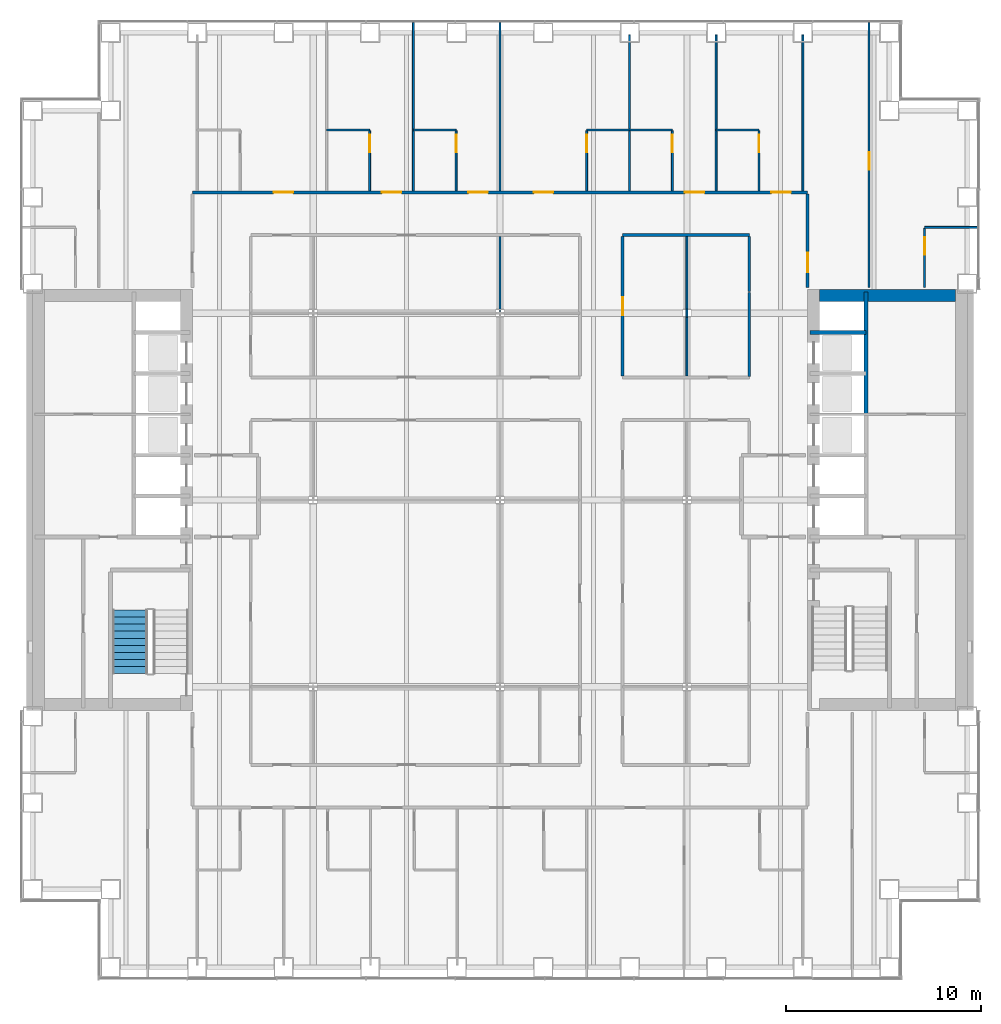
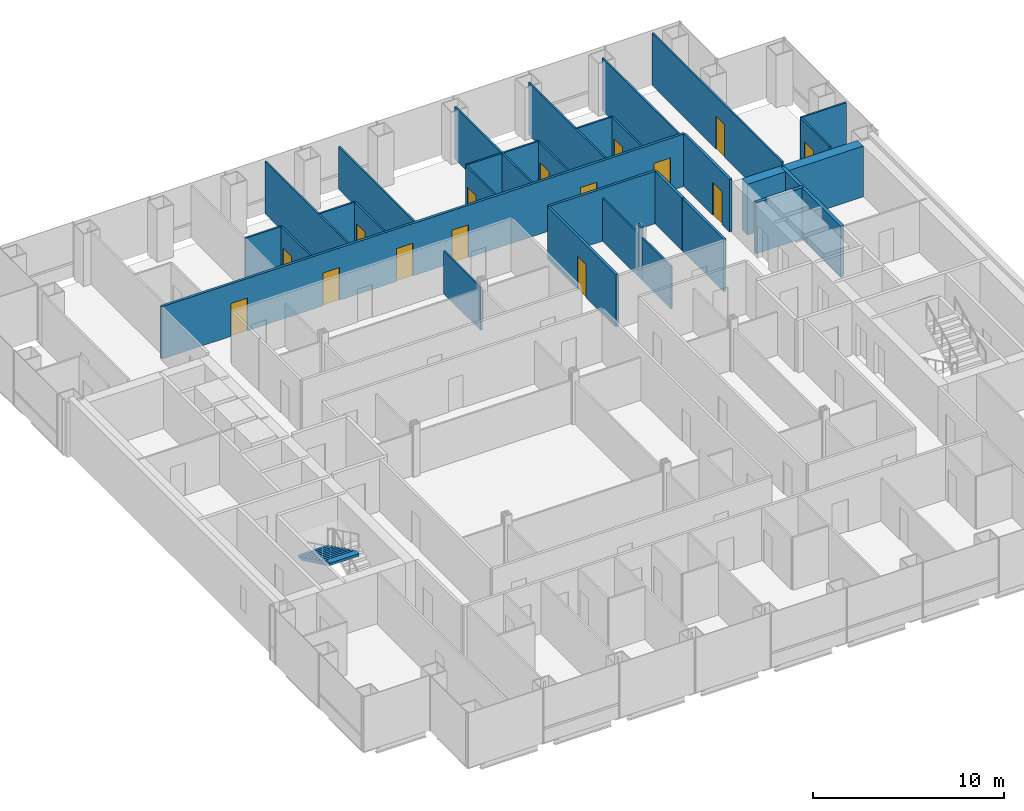
# One storey, part 20 of 23: 31 walls, 15 doors, 1 stair flight, 15 openings, 1 element without a shape of its own.
"""IFC4 building model written with IfcOpenShell, lengths in metres."""

from ifc_helpers import new_model, si_unit, direction, frame, frame_2d, origin, place, context, subcontext, project, spatial, polyline, rectangle, outline, extrude, material, layer, layer_set, type_object, element, fill, aggregate, save


model = new_model("IFC4")

# Units and contexts
model_context = context("Model", 3, precision=1e-05, world=origin(), true_north=direction((0.0, 1.0)))
body_context = subcontext(model_context, "Body", "Model", "MODEL_VIEW")
ifc_project = project(units=[si_unit("LENGTHUNIT", "METRE"), si_unit("AREAUNIT", "SQUARE_METRE"), si_unit("VOLUMEUNIT", "CUBIC_METRE"), si_unit("PLANEANGLEUNIT", "RADIAN"), si_unit("MASSUNIT", "GRAM", prefix="KILO")], contexts=[model_context])

# Site, building, storey
site_placement = place(None, origin())
site = spatial("IfcSite", under=ifc_project, at=site_placement, CompositionType="ELEMENT")
building_placement = place(site_placement, origin())
building = spatial("IfcBuilding", under=site, at=building_placement, Name="Cobrizo Arcos Hotel Tower", CompositionType="ELEMENT")
storey_placement = place(building_placement, frame((0.0, 0.0, 49.5)))
storey = spatial("IfcBuildingStorey", under=building, at=storey_placement, Name="L10", CompositionType="ELEMENT", Elevation=49.5)

# Wall
ifc_material_1 = material(Name="Gypsum board partition")
ifc_layer_1 = layer(ifc_material_1, 0.14990234375)
ifc_layer_set_1 = layer_set([ifc_layer_1], Name="Corridor wall EI 60 150")
wall_type_1 = type_object("IfcWallType", Name="Corridor wall EI 60 150", PredefinedType="PARTITIONING", material=ifc_layer_set_1)
wall_1_placement = place(storey_placement, frame((6.300048828125, 13.60009765625, 0.0), z_axis=(0.0, 0.0, 1.0), x_axis=(1.0, 0.0, 0.0)))
element("IfcWall", 1, at=wall_1_placement, inside=storey, type_object=wall_type_1, Name="Partition 055", PredefinedType="PARTITIONING", context=body_context, shape_type="SweptSolid", body=[
    extrude(rectangle(XDim=6.5, YDim=0.14990234375, at=frame_2d((3.25, 0.0))), origin(), (0.0, 0.0, 1.0), 3.35009765625),
])

# Wall, openings, doors
wall_2_placement = place(storey_placement, frame((-15.800048828125, 15.800048828125, 0.0), z_axis=(0.0, 0.0, 1.0), x_axis=(1.0, 0.0, 0.0)))
wall_2 = element("IfcWall", 2, at=wall_2_placement, inside=storey, type_object=wall_type_1, Name="Partition 058", PredefinedType="PARTITIONING", context=body_context, shape_type="SweptSolid", body=[
    extrude(rectangle(XDim=31.60009765625, YDim=0.14990234375, at=frame_2d((15.800048828125, 0.0))), origin(), (0.0, 0.0, 1.0), 3.35009765625),
])
opening_1_placement = place(wall_2_placement, frame((4.177978515625, 0.0, 0.0)))
opening_1 = element("IfcOpeningElement", 3, at=opening_1_placement, cuts=wall_2, Name="Opening GD-01", PredefinedType="OPENING", context=body_context, shape_type="SweptSolid", body=[
    extrude(rectangle(XDim=1.0, YDim=2.10009765625, at=frame_2d((0.5, 1.050048828125))), frame((0.0, 0.0869140625, 0.0), z_axis=(0.0, -1.0, 0.0), x_axis=(1.0, 0.0, 0.0)), (0.0, 0.0, 1.0), 0.173828125),
])
opening_2_placement = place(wall_2_placement, frame((9.73388671875, 0.0, 0.0)))
opening_2 = element("IfcOpeningElement", 4, at=opening_2_placement, cuts=wall_2, Name="Opening GD-02", PredefinedType="OPENING", context=body_context, shape_type="SweptSolid", body=[
    extrude(rectangle(XDim=1.0, YDim=2.10009765625, at=frame_2d((0.5, 1.050048828125))), frame((0.0, 0.0869140625, 0.0), z_axis=(0.0, -1.0, 0.0), x_axis=(1.0, 0.0, 0.0)), (0.0, 0.0, 1.0), 0.173828125),
])
opening_3_placement = place(wall_2_placement, frame((14.177978515625, 0.0, 0.0)))
opening_3 = element("IfcOpeningElement", 5, at=opening_3_placement, cuts=wall_2, Name="Opening GD-03", PredefinedType="OPENING", context=body_context, shape_type="SweptSolid", body=[
    extrude(rectangle(XDim=1.0, YDim=2.10009765625, at=frame_2d((0.5, 1.050048828125))), frame((0.0, 0.0869140625, 0.0), z_axis=(0.0, -1.0, 0.0), x_axis=(1.0, 0.0, 0.0)), (0.0, 0.0, 1.0), 0.173828125),
])
opening_4_placement = place(wall_2_placement, frame((17.533935546875, 0.0, 0.0)))
opening_4 = element("IfcOpeningElement", 6, at=opening_4_placement, cuts=wall_2, Name="Opening GD-04", PredefinedType="OPENING", context=body_context, shape_type="SweptSolid", body=[
    extrude(rectangle(XDim=1.0, YDim=2.10009765625, at=frame_2d((0.5, 1.050048828125))), frame((0.0, 0.0869140625, 0.0), z_axis=(0.0, -1.0, 0.0), x_axis=(1.0, 0.0, 0.0)), (0.0, 0.0, 1.0), 0.173828125),
])
opening_5_placement = place(wall_2_placement, frame((25.2890625, 0.0, 0.0)))
opening_5 = element("IfcOpeningElement", 7, at=opening_5_placement, cuts=wall_2, Name="Opening GD-05", PredefinedType="OPENING", context=body_context, shape_type="SweptSolid", body=[
    extrude(rectangle(XDim=1.0, YDim=2.10009765625, at=frame_2d((0.5, 1.050048828125))), frame((0.0, 0.0869140625, 0.0), z_axis=(0.0, -1.0, 0.0), x_axis=(1.0, 0.0, 0.0)), (0.0, 0.0, 1.0), 0.173828125),
])
opening_6_placement = place(wall_2_placement, frame((29.73291015625, 0.0, 0.0)))
opening_6 = element("IfcOpeningElement", 8, at=opening_6_placement, cuts=wall_2, Name="Opening GD-06", PredefinedType="OPENING", context=body_context, shape_type="SweptSolid", body=[
    extrude(rectangle(XDim=1.0, YDim=2.10009765625, at=frame_2d((0.5, 1.050048828125))), frame((0.0, 0.0869140625, 0.0), z_axis=(0.0, -1.0, 0.0), x_axis=(1.0, 0.0, 0.0)), (0.0, 0.0, 1.0), 0.173828125),
])
ifc_material_2 = material(Name="Timber door leaf", Category="wood")
door_type_1 = type_object("IfcDoorType", Name="Guest room door FD30S 1000x2100", OperationType="SINGLE_SWING_LEFT", PredefinedType="DOOR", material=ifc_material_2)
door_1_placement = place(opening_1_placement, origin())
door_1 = element("IfcDoor", 9, at=door_1_placement, inside=storey, type_object=door_type_1, Name="Door GD-01", OperationType="SINGLE_SWING_LEFT", OverallHeight=2.10009765625, OverallWidth=1.0, PredefinedType="DOOR", context=body_context, shape_type="SweptSolid", body=[
    extrude(rectangle(XDim=1.0, YDim=2.10009765625, at=frame_2d((0.5, 1.050048828125))), frame((0.0, 0.02490234375, 0.0), z_axis=(0.0, -1.0, 0.0), x_axis=(1.0, 0.0, 0.0)), (0.0, 0.0, 1.0), 0.050048828125),
])
fill(opening_1, door_1)
door_2_placement = place(opening_2_placement, origin())
door_2 = element("IfcDoor", 10, at=door_2_placement, inside=storey, type_object=door_type_1, Name="Door GD-02", OperationType="SINGLE_SWING_LEFT", OverallHeight=2.10009765625, OverallWidth=1.0, PredefinedType="DOOR", context=body_context, shape_type="SweptSolid", body=[
    extrude(rectangle(XDim=1.0, YDim=2.10009765625, at=frame_2d((0.5, 1.050048828125))), frame((0.0, 0.02490234375, 0.0), z_axis=(0.0, -1.0, 0.0), x_axis=(1.0, 0.0, 0.0)), (0.0, 0.0, 1.0), 0.050048828125),
])
fill(opening_2, door_2)
door_3_placement = place(opening_3_placement, origin())
door_3 = element("IfcDoor", 11, at=door_3_placement, inside=storey, type_object=door_type_1, Name="Door GD-03", OperationType="SINGLE_SWING_LEFT", OverallHeight=2.10009765625, OverallWidth=1.0, PredefinedType="DOOR", context=body_context, shape_type="SweptSolid", body=[
    extrude(rectangle(XDim=1.0, YDim=2.10009765625, at=frame_2d((0.5, 1.050048828125))), frame((0.0, 0.02490234375, 0.0), z_axis=(0.0, -1.0, 0.0), x_axis=(1.0, 0.0, 0.0)), (0.0, 0.0, 1.0), 0.050048828125),
])
fill(opening_3, door_3)
door_4_placement = place(opening_4_placement, origin())
door_4 = element("IfcDoor", 12, at=door_4_placement, inside=storey, type_object=door_type_1, Name="Door GD-04", OperationType="SINGLE_SWING_RIGHT", OverallHeight=2.10009765625, OverallWidth=1.0, PredefinedType="DOOR", context=body_context, shape_type="SweptSolid", body=[
    extrude(rectangle(XDim=1.0, YDim=2.10009765625, at=frame_2d((0.5, 1.050048828125))), frame((0.0, 0.02490234375, 0.0), z_axis=(0.0, -1.0, 0.0), x_axis=(1.0, 0.0, 0.0)), (0.0, 0.0, 1.0), 0.050048828125),
])
fill(opening_4, door_4)
door_5_placement = place(opening_5_placement, origin())
door_5 = element("IfcDoor", 13, at=door_5_placement, inside=storey, type_object=door_type_1, Name="Door GD-05", OperationType="SINGLE_SWING_LEFT", OverallHeight=2.10009765625, OverallWidth=1.0, PredefinedType="DOOR", context=body_context, shape_type="SweptSolid", body=[
    extrude(rectangle(XDim=1.0, YDim=2.10009765625, at=frame_2d((0.5, 1.050048828125))), frame((0.0, 0.02490234375, 0.0), z_axis=(0.0, -1.0, 0.0), x_axis=(1.0, 0.0, 0.0)), (0.0, 0.0, 1.0), 0.050048828125),
])
fill(opening_5, door_5)
door_6_placement = place(opening_6_placement, origin())
door_6 = element("IfcDoor", 14, at=door_6_placement, inside=storey, type_object=door_type_1, Name="Door GD-06", OperationType="SINGLE_SWING_LEFT", OverallHeight=2.10009765625, OverallWidth=1.0, PredefinedType="DOOR", context=body_context, shape_type="SweptSolid", body=[
    extrude(rectangle(XDim=1.0, YDim=2.10009765625, at=frame_2d((0.5, 1.050048828125))), frame((0.0, 0.02490234375, 0.0), z_axis=(0.0, -1.0, 0.0), x_axis=(1.0, 0.0, 0.0)), (0.0, 0.0, 1.0), 0.050048828125),
])
fill(opening_6, door_6)

# Wall, opening, door
wall_3_placement = place(storey_placement, frame((6.300048828125, 6.375, 0.0), z_axis=(0.0, 0.0, 1.0), x_axis=(0.0, 1.0, 0.0)))
wall_3 = element("IfcWall", 15, at=wall_3_placement, inside=storey, type_object=wall_type_1, Name="Partition 109", PredefinedType="PARTITIONING", context=body_context, shape_type="SweptSolid", body=[
    extrude(rectangle(XDim=7.14990234375, YDim=0.14990234375, at=frame_2d((3.574951171875, 0.0))), origin(), (0.0, 0.0, 1.0), 3.35009765625),
])
opening_7_placement = place(wall_3_placement, frame((3.125, 0.0, 0.0)))
opening_7 = element("IfcOpeningElement", 16, at=opening_7_placement, cuts=wall_3, Name="Opening RD-24", PredefinedType="OPENING", context=body_context, shape_type="SweptSolid", body=[
    extrude(rectangle(XDim=0.89990234375, YDim=2.10009765625, at=frame_2d((0.449951171875, 1.050048828125))), frame((0.0, 0.0869140625, 0.0), z_axis=(0.0, -1.0, 0.0), x_axis=(1.0, 0.0, 0.0)), (0.0, 0.0, 1.0), 0.173828125),
])
door_type_2 = type_object("IfcDoorType", Name="Room door FD30 900x2100", OperationType="SINGLE_SWING_LEFT", PredefinedType="DOOR", material=ifc_material_2)
door_7_placement = place(opening_7_placement, origin())
door_7 = element("IfcDoor", 17, at=door_7_placement, inside=storey, type_object=door_type_2, Name="Door RD-24", OperationType="SINGLE_SWING_RIGHT", OverallHeight=2.10009765625, OverallWidth=0.89990234375, PredefinedType="DOOR", context=body_context, shape_type="SweptSolid", body=[
    extrude(rectangle(XDim=0.89990234375, YDim=2.10009765625, at=frame_2d((0.449951171875, 1.050048828125))), frame((0.0, 0.02490234375, 0.0), z_axis=(0.0, -1.0, 0.0), x_axis=(1.0, 0.0, 0.0)), (0.0, 0.0, 1.0), 0.050048828125),
])
fill(opening_7, door_7)

# Walls
wall_4_placement = place(storey_placement, frame((12.800048828125, 6.35009765625, 0.0), z_axis=(0.0, 0.0, 1.0), x_axis=(0.0, 1.0, 0.0)))
element("IfcWall", 18, at=wall_4_placement, inside=storey, type_object=wall_type_1, Name="Partition 124", PredefinedType="PARTITIONING", context=body_context, shape_type="SweptSolid", body=[
    extrude(rectangle(XDim=4.2998046875, YDim=0.14990234375, at=frame_2d((2.14990234375, 0.0))), origin(), (0.0, 0.0, 1.0), 3.35009765625),
])
wall_5_placement = place(storey_placement, frame((12.800048828125, 10.699951171875, 0.0), z_axis=(0.0, 0.0, 1.0), x_axis=(0.0, 1.0, 0.0)))
element("IfcWall", 19, at=wall_5_placement, inside=storey, type_object=wall_type_1, Name="Partition 125", PredefinedType="PARTITIONING", context=body_context, shape_type="SweptSolid", body=[
    extrude(rectangle(XDim=2.824951171875, YDim=0.14990234375, at=frame_2d((1.41259765625, 0.0))), origin(), (0.0, 0.0, 1.0), 3.35009765625),
])

# Wall, opening, door
wall_6_placement = place(storey_placement, frame((15.800048828125, 10.919921875, 0.0), z_axis=(0.0, 0.0, 1.0), x_axis=(0.0, 1.0, 0.0)))
wall_6 = element("IfcWall", 20, at=wall_6_placement, inside=storey, type_object=wall_type_1, Name="Partition 131", PredefinedType="PARTITIONING", context=body_context, shape_type="SweptSolid", body=[
    extrude(rectangle(XDim=4.80517578125, YDim=0.14990234375, at=frame_2d((2.402587890625, 0.0))), origin(), (0.0, 0.0, 1.0), 3.35009765625),
])
opening_8_placement = place(wall_6_placement, frame((0.780029296875, 0.0, 0.0)))
opening_8 = element("IfcOpeningElement", 21, at=opening_8_placement, cuts=wall_6, Name="Opening GD-15", PredefinedType="OPENING", context=body_context, shape_type="SweptSolid", body=[
    extrude(rectangle(XDim=1.0, YDim=2.10009765625, at=frame_2d((0.5, 1.050048828125))), frame((0.0, 0.0869140625, 0.0), z_axis=(0.0, -1.0, 0.0), x_axis=(1.0, 0.0, 0.0)), (0.0, 0.0, 1.0), 0.173828125),
])
door_8_placement = place(opening_8_placement, origin())
door_8 = element("IfcDoor", 22, at=door_8_placement, inside=storey, type_object=door_type_1, Name="Door GD-15", OperationType="SINGLE_SWING_LEFT", OverallHeight=2.10009765625, OverallWidth=1.0, PredefinedType="DOOR", context=body_context, shape_type="SweptSolid", body=[
    extrude(rectangle(XDim=1.0, YDim=2.10009765625, at=frame_2d((0.5, 1.050048828125))), frame((0.0, 0.02490234375, 0.0), z_axis=(0.0, -1.0, 0.0), x_axis=(1.0, 0.0, 0.0)), (0.0, 0.0, 1.0), 0.050048828125),
])
fill(opening_8, door_8)

# Walls
ifc_layer_2 = layer(ifc_material_1, 0.10009765625)
ifc_layer_set_2 = layer_set([ifc_layer_2], Name="Partition EI 30 100")
wall_type_2 = type_object("IfcWallType", Name="Partition EI 30 100", PredefinedType="PARTITIONING", material=ifc_layer_set_2)
wall_7_placement = place(storey_placement, frame((21.800048828125, 14.0, 0.0), z_axis=(0.0, 0.0, 1.0), x_axis=(1.0, 0.0, 0.0)))
element("IfcWall", 23, at=wall_7_placement, inside=storey, type_object=wall_type_2, Name="Partition 057", PredefinedType="PARTITIONING", context=body_context, shape_type="SweptSolid", body=[
    extrude(rectangle(XDim=2.72998046875, YDim=0.10009765625, at=frame_2d((1.364990234375, 0.0))), origin(), (0.0, 0.0, 1.0), 3.35009765625),
])
for number, where, z_axis, x_axis, name in (
    (24, (-8.89990234375, 19.0, 0.0), (0.0, 0.0, 1.0), (1.0, 0.0, 0.0), "Partition 060"),
    (25, (-4.449951171875, 19.0, 0.0), (0.0, 0.0, 1.0), (1.0, 0.0, 0.0), "Partition 061"),
):
    element("IfcWall", number, at=place(storey_placement, frame(where, z_axis=z_axis, x_axis=x_axis)), inside=storey, type_object=wall_type_2, Name=name, PredefinedType="PARTITIONING", context=body_context, shape_type="SweptSolid", body=[
        extrude(rectangle(XDim=2.199951171875, YDim=0.10009765625, at=frame_2d((1.10009765625, 0.0))), origin(), (0.0, 0.0, 1.0), 3.35009765625),
    ])
wall_8_placement = place(storey_placement, frame((4.449951171875, 19.0, 0.0), z_axis=(0.0, 0.0, 1.0), x_axis=(1.0, 0.0, 0.0)))
element("IfcWall", 26, at=wall_8_placement, inside=storey, type_object=wall_type_2, Name="Partition 062", PredefinedType="PARTITIONING", context=body_context, shape_type="SweptSolid", body=[
    extrude(rectangle(XDim=4.400146484375, YDim=0.10009765625, at=frame_2d((2.2001953125, 0.0))), origin(), (0.0, 0.0, 1.0), 3.35009765625),
])
wall_9_placement = place(storey_placement, frame((11.10009765625, 19.0, 0.0), z_axis=(0.0, 0.0, 1.0), x_axis=(1.0, 0.0, 0.0)))
element("IfcWall", 27, at=wall_9_placement, inside=storey, type_object=wall_type_2, Name="Partition 063", PredefinedType="PARTITIONING", context=body_context, shape_type="SweptSolid", body=[
    extrude(rectangle(XDim=2.199951171875, YDim=0.10009765625, at=frame_2d((1.10009765625, 0.0))), origin(), (0.0, 0.0, 1.0), 3.35009765625),
])

# Wall, opening, door
wall_10_placement = place(storey_placement, frame((-6.699951171875, 15.875, 0.0), z_axis=(0.0, 0.0, 1.0), x_axis=(0.0, 1.0, 0.0)))
wall_10 = element("IfcWall", 28, at=wall_10_placement, inside=storey, type_object=wall_type_2, Name="Partition 090", PredefinedType="PARTITIONING", context=body_context, shape_type="SweptSolid", body=[
    extrude(rectangle(XDim=3.074951171875, YDim=0.10009765625, at=frame_2d((1.53759765625, 0.0))), origin(), (0.0, 0.0, 1.0), 3.35009765625),
])
opening_9_placement = place(wall_10_placement, frame((1.970947265625, 0.0, 0.0)))
opening_9 = element("IfcOpeningElement", 29, at=opening_9_placement, cuts=wall_10, Name="Opening ED-02", PredefinedType="OPENING", context=body_context, shape_type="SweptSolid", body=[
    extrude(rectangle(XDim=0.89990234375, YDim=2.10009765625, at=frame_2d((0.449951171875, 1.050048828125))), frame((0.0, 0.06201171875, 0.0), z_axis=(0.0, -1.0, 0.0), x_axis=(1.0, 0.0, 0.0)), (0.0, 0.0, 1.0), 0.1240234375),
])
door_type_3 = type_object("IfcDoorType", Name="En-suite door 900x2100", OperationType="SINGLE_SWING_LEFT", PredefinedType="DOOR", material=ifc_material_2)
door_9_placement = place(opening_9_placement, origin())
door_9 = element("IfcDoor", 30, at=door_9_placement, inside=storey, type_object=door_type_3, Name="Door ED-02", OperationType="SINGLE_SWING_LEFT", OverallHeight=2.10009765625, OverallWidth=0.89990234375, PredefinedType="DOOR", context=body_context, shape_type="SweptSolid", body=[
    extrude(rectangle(XDim=0.89990234375, YDim=2.10009765625, at=frame_2d((0.449951171875, 1.050048828125))), frame((0.0, 0.02490234375, 0.0), z_axis=(0.0, -1.0, 0.0), x_axis=(1.0, 0.0, 0.0)), (0.0, 0.0, 1.0), 0.050048828125),
])
fill(opening_9, door_9)

# Wall
wall_11_placement = place(storey_placement, frame((-4.449951171875, 15.875, 0.0), z_axis=(0.0, 0.0, 1.0), x_axis=(0.0, 1.0, 0.0)))
element("IfcWall", 31, at=wall_11_placement, inside=storey, type_object=wall_type_2, Name="Partition 092", PredefinedType="PARTITIONING", context=body_context, shape_type="SweptSolid", body=[
    extrude(rectangle(XDim=8.655029296875, YDim=0.10009765625, at=frame_2d((4.32763671875, 0.0))), origin(), (0.0, 0.0, 1.0), 3.35009765625),
])

# Wall, opening, door
wall_12_placement = place(storey_placement, frame((-2.25, 15.875, 0.0), z_axis=(0.0, 0.0, 1.0), x_axis=(0.0, 1.0, 0.0)))
wall_12 = element("IfcWall", 32, at=wall_12_placement, inside=storey, type_object=wall_type_2, Name="Partition 094", PredefinedType="PARTITIONING", context=body_context, shape_type="SweptSolid", body=[
    extrude(rectangle(XDim=3.074951171875, YDim=0.10009765625, at=frame_2d((1.53759765625, 0.0))), origin(), (0.0, 0.0, 1.0), 3.35009765625),
])
opening_10_placement = place(wall_12_placement, frame((1.970947265625, 0.0, 0.0)))
opening_10 = element("IfcOpeningElement", 33, at=opening_10_placement, cuts=wall_12, Name="Opening ED-03", PredefinedType="OPENING", context=body_context, shape_type="SweptSolid", body=[
    extrude(rectangle(XDim=0.89990234375, YDim=2.10009765625, at=frame_2d((0.449951171875, 1.050048828125))), frame((0.0, 0.06201171875, 0.0), z_axis=(0.0, -1.0, 0.0), x_axis=(1.0, 0.0, 0.0)), (0.0, 0.0, 1.0), 0.1240234375),
])
door_10_placement = place(opening_10_placement, origin())
door_10 = element("IfcDoor", 34, at=door_10_placement, inside=storey, type_object=door_type_3, Name="Door ED-03", OperationType="SINGLE_SWING_LEFT", OverallHeight=2.10009765625, OverallWidth=0.89990234375, PredefinedType="DOOR", context=body_context, shape_type="SweptSolid", body=[
    extrude(rectangle(XDim=0.89990234375, YDim=2.10009765625, at=frame_2d((0.449951171875, 1.050048828125))), frame((0.0, 0.02490234375, 0.0), z_axis=(0.0, -1.0, 0.0), x_axis=(1.0, 0.0, 0.0)), (0.0, 0.0, 1.0), 0.050048828125),
])
fill(opening_10, door_10)

# Walls
wall_13_placement = place(storey_placement, frame((0.0, 9.64990234375, 0.0), z_axis=(0.0, 0.0, 1.0), x_axis=(0.0, 1.0, 0.0)))
element("IfcWall", 35, at=wall_13_placement, inside=storey, type_object=wall_type_2, Name="Partition 100", PredefinedType="PARTITIONING", context=body_context, shape_type="SweptSolid", body=[
    extrude(rectangle(XDim=3.875, YDim=0.10009765625, at=frame_2d((1.9375, 0.0))), origin(), (0.0, 0.0, 1.0), 2.72802734375),
])
wall_14_placement = place(storey_placement, frame((0.0, 15.875, 0.0), z_axis=(0.0, 0.0, 1.0), x_axis=(0.0, 1.0, 0.0)))
element("IfcWall", 36, at=wall_14_placement, inside=storey, type_object=wall_type_2, Name="Partition 101", PredefinedType="PARTITIONING", context=body_context, shape_type="SweptSolid", body=[
    extrude(rectangle(XDim=8.655029296875, YDim=0.10009765625, at=frame_2d((4.32763671875, 0.0))), origin(), (0.0, 0.0, 1.0), 2.72802734375),
])

# Wall, opening, door
wall_15_placement = place(storey_placement, frame((4.449951171875, 15.875, 0.0), z_axis=(0.0, 0.0, 1.0), x_axis=(0.0, 1.0, 0.0)))
wall_15 = element("IfcWall", 37, at=wall_15_placement, inside=storey, type_object=wall_type_2, Name="Partition 107", PredefinedType="PARTITIONING", context=body_context, shape_type="SweptSolid", body=[
    extrude(rectangle(XDim=3.074951171875, YDim=0.10009765625, at=frame_2d((1.53759765625, 0.0))), origin(), (0.0, 0.0, 1.0), 3.35009765625),
])
opening_11_placement = place(wall_15_placement, frame((1.970947265625, 0.0, 0.0)))
opening_11 = element("IfcOpeningElement", 38, at=opening_11_placement, cuts=wall_15, Name="Opening ED-04", PredefinedType="OPENING", context=body_context, shape_type="SweptSolid", body=[
    extrude(rectangle(XDim=0.89990234375, YDim=2.10009765625, at=frame_2d((0.449951171875, 1.050048828125))), frame((0.0, 0.06201171875, 0.0), z_axis=(0.0, -1.0, 0.0), x_axis=(1.0, 0.0, 0.0)), (0.0, 0.0, 1.0), 0.1240234375),
])
door_11_placement = place(opening_11_placement, origin())
door_11 = element("IfcDoor", 39, at=door_11_placement, inside=storey, type_object=door_type_3, Name="Door ED-04", OperationType="SINGLE_SWING_RIGHT", OverallHeight=2.10009765625, OverallWidth=0.89990234375, PredefinedType="DOOR", context=body_context, shape_type="SweptSolid", body=[
    extrude(rectangle(XDim=0.89990234375, YDim=2.10009765625, at=frame_2d((0.449951171875, 1.050048828125))), frame((0.0, 0.02490234375, 0.0), z_axis=(0.0, -1.0, 0.0), x_axis=(1.0, 0.0, 0.0)), (0.0, 0.0, 1.0), 0.050048828125),
])
fill(opening_11, door_11)

# Walls
wall_16_placement = place(storey_placement, frame((6.64990234375, 15.875, 0.0), z_axis=(0.0, 0.0, 1.0), x_axis=(0.0, 1.0, 0.0)))
element("IfcWall", 40, at=wall_16_placement, inside=storey, type_object=wall_type_2, Name="Partition 110", PredefinedType="PARTITIONING", context=body_context, shape_type="SweptSolid", body=[
    extrude(rectangle(XDim=3.074951171875, YDim=0.10009765625, at=frame_2d((1.53759765625, 0.0))), origin(), (0.0, 0.0, 1.0), 3.35009765625),
])
wall_17_placement = place(storey_placement, frame((6.64990234375, 19.050048828125, 0.0), z_axis=(0.0, 0.0, 1.0), x_axis=(0.0, 1.0, 0.0)))
element("IfcWall", 41, at=wall_17_placement, inside=storey, type_object=wall_type_2, Name="Partition 111", PredefinedType="PARTITIONING", context=body_context, shape_type="SweptSolid", body=[
    extrude(rectangle(XDim=4.829833984375, YDim=0.10009765625, at=frame_2d((2.4150390625, 0.0))), origin(), (0.0, 0.0, 1.0), 3.35009765625),
])

# Wall, opening, door
wall_18_placement = place(storey_placement, frame((8.85009765625, 15.875, 0.0), z_axis=(0.0, 0.0, 1.0), x_axis=(0.0, 1.0, 0.0)))
wall_18 = element("IfcWall", 42, at=wall_18_placement, inside=storey, type_object=wall_type_2, Name="Partition 112", PredefinedType="PARTITIONING", context=body_context, shape_type="SweptSolid", body=[
    extrude(rectangle(XDim=3.074951171875, YDim=0.10009765625, at=frame_2d((1.53759765625, 0.0))), origin(), (0.0, 0.0, 1.0), 3.35009765625),
])
opening_12_placement = place(wall_18_placement, frame((1.970947265625, 0.0, 0.0)))
opening_12 = element("IfcOpeningElement", 43, at=opening_12_placement, cuts=wall_18, Name="Opening ED-05", PredefinedType="OPENING", context=body_context, shape_type="SweptSolid", body=[
    extrude(rectangle(XDim=0.89990234375, YDim=2.10009765625, at=frame_2d((0.449951171875, 1.050048828125))), frame((0.0, 0.06201171875, 0.0), z_axis=(0.0, -1.0, 0.0), x_axis=(1.0, 0.0, 0.0)), (0.0, 0.0, 1.0), 0.1240234375),
])
door_12_placement = place(opening_12_placement, origin())
door_12 = element("IfcDoor", 44, at=door_12_placement, inside=storey, type_object=door_type_3, Name="Door ED-05", OperationType="SINGLE_SWING_RIGHT", OverallHeight=2.10009765625, OverallWidth=0.89990234375, PredefinedType="DOOR", context=body_context, shape_type="SweptSolid", body=[
    extrude(rectangle(XDim=0.89990234375, YDim=2.10009765625, at=frame_2d((0.449951171875, 1.050048828125))), frame((0.0, 0.02490234375, 0.0), z_axis=(0.0, -1.0, 0.0), x_axis=(1.0, 0.0, 0.0)), (0.0, 0.0, 1.0), 0.050048828125),
])
fill(opening_12, door_12)

# Walls
wall_19_placement = place(storey_placement, frame((9.60009765625, 6.375, 0.0), z_axis=(0.0, 0.0, 1.0), x_axis=(0.0, 1.0, 0.0)))
element("IfcWall", 45, at=wall_19_placement, inside=storey, type_object=wall_type_2, Name="Partition 117", PredefinedType="PARTITIONING", context=body_context, shape_type="SweptSolid", body=[
    extrude(rectangle(XDim=3.02099609375, YDim=0.10009765625, at=frame_2d((1.510498046875, 0.0))), origin(), (0.0, 0.0, 1.0), 2.72802734375),
])
wall_20_placement = place(storey_placement, frame((9.60009765625, 9.39599609375, 0.0), z_axis=(0.0, 0.0, 1.0), x_axis=(0.0, 1.0, 0.0)))
element("IfcWall", 46, at=wall_20_placement, inside=storey, type_object=wall_type_2, Name="Partition 118", PredefinedType="PARTITIONING", context=body_context, shape_type="SweptSolid", body=[
    extrude(rectangle(XDim=0.407958984375, YDim=0.10009765625, at=frame_2d((0.2041015625, 0.0))), origin(), (0.0, 0.0, 1.0), 3.35009765625),
])
wall_21_placement = place(storey_placement, frame((9.60009765625, 9.803955078125, 0.0), z_axis=(0.0, 0.0, 1.0), x_axis=(0.0, 1.0, 0.0)))
element("IfcWall", 47, at=wall_21_placement, inside=storey, type_object=wall_type_2, Name="Partition 119", PredefinedType="PARTITIONING", context=body_context, shape_type="SweptSolid", body=[
    extrude(rectangle(XDim=3.720947265625, YDim=0.10009765625, at=frame_2d((1.8603515625, 0.0))), origin(), (0.0, 0.0, 1.0), 2.72802734375),
])
wall_22_placement = place(storey_placement, frame((11.10009765625, 15.875, 0.0), z_axis=(0.0, 0.0, 1.0), x_axis=(0.0, 1.0, 0.0)))
element("IfcWall", 48, at=wall_22_placement, inside=storey, type_object=wall_type_2, Name="Partition 120", PredefinedType="PARTITIONING", context=body_context, shape_type="SweptSolid", body=[
    extrude(rectangle(XDim=8.0048828125, YDim=0.10009765625, at=frame_2d((4.00244140625, 0.0))), origin(), (0.0, 0.0, 1.0), 3.35009765625),
])

# Wall, opening, door
wall_23_placement = place(storey_placement, frame((13.300048828125, 15.875, 0.0), z_axis=(0.0, 0.0, 1.0), x_axis=(0.0, 1.0, 0.0)))
wall_23 = element("IfcWall", 49, at=wall_23_placement, inside=storey, type_object=wall_type_2, Name="Partition 126", PredefinedType="PARTITIONING", context=body_context, shape_type="SweptSolid", body=[
    extrude(rectangle(XDim=3.074951171875, YDim=0.10009765625, at=frame_2d((1.53759765625, 0.0))), origin(), (0.0, 0.0, 1.0), 3.35009765625),
])
opening_13_placement = place(wall_23_placement, frame((1.970947265625, 0.0, 0.0)))
opening_13 = element("IfcOpeningElement", 50, at=opening_13_placement, cuts=wall_23, Name="Opening ED-06", PredefinedType="OPENING", context=body_context, shape_type="SweptSolid", body=[
    extrude(rectangle(XDim=0.89990234375, YDim=2.10009765625, at=frame_2d((0.449951171875, 1.050048828125))), frame((0.0, 0.06201171875, 0.0), z_axis=(0.0, -1.0, 0.0), x_axis=(1.0, 0.0, 0.0)), (0.0, 0.0, 1.0), 0.1240234375),
])
door_13_placement = place(opening_13_placement, origin())
door_13 = element("IfcDoor", 51, at=door_13_placement, inside=storey, type_object=door_type_3, Name="Door ED-06", OperationType="SINGLE_SWING_RIGHT", OverallHeight=2.10009765625, OverallWidth=0.89990234375, PredefinedType="DOOR", context=body_context, shape_type="SweptSolid", body=[
    extrude(rectangle(XDim=0.89990234375, YDim=2.10009765625, at=frame_2d((0.449951171875, 1.050048828125))), frame((0.0, 0.02490234375, 0.0), z_axis=(0.0, -1.0, 0.0), x_axis=(1.0, 0.0, 0.0)), (0.0, 0.0, 1.0), 0.050048828125),
])
fill(opening_13, door_13)

# Wall
wall_24_placement = place(storey_placement, frame((15.550048828125, 15.875, 0.0), z_axis=(0.0, 0.0, 1.0), x_axis=(0.0, 1.0, 0.0)))
element("IfcWall", 52, at=wall_24_placement, inside=storey, type_object=wall_type_2, Name="Partition 129", PredefinedType="PARTITIONING", context=body_context, shape_type="SweptSolid", body=[
    extrude(rectangle(XDim=8.0048828125, YDim=0.10009765625, at=frame_2d((4.00244140625, 0.0))), origin(), (0.0, 0.0, 1.0), 3.35009765625),
])

# Wall, opening, door
wall_25_placement = place(storey_placement, frame((18.949951171875, 10.919921875, 0.0), z_axis=(0.0, 0.0, 1.0), x_axis=(0.0, 1.0, 0.0)))
wall_25 = element("IfcWall", 53, at=wall_25_placement, inside=storey, type_object=wall_type_2, Name="Partition 135", PredefinedType="PARTITIONING", context=body_context, shape_type="SweptSolid", body=[
    extrude(rectangle(XDim=13.610107421875, YDim=0.10009765625, at=frame_2d((6.80517578125, 0.0))), origin(), (0.0, 0.0, 1.0), 3.35009765625),
])
opening_14_placement = place(wall_25_placement, frame((6.030029296875, 0.0, 0.0)))
opening_14 = element("IfcOpeningElement", 54, at=opening_14_placement, cuts=wall_25, Name="Opening RD-11", PredefinedType="OPENING", context=body_context, shape_type="SweptSolid", body=[
    extrude(rectangle(XDim=0.89990234375, YDim=2.10009765625, at=frame_2d((0.449951171875, 1.050048828125))), frame((0.0, 0.06201171875, 0.0), z_axis=(0.0, -1.0, 0.0), x_axis=(1.0, 0.0, 0.0)), (0.0, 0.0, 1.0), 0.1240234375),
])
door_14_placement = place(opening_14_placement, origin())
door_14 = element("IfcDoor", 55, at=door_14_placement, inside=storey, type_object=door_type_2, Name="Door RD-11", OperationType="SINGLE_SWING_RIGHT", OverallHeight=2.10009765625, OverallWidth=0.89990234375, PredefinedType="DOOR", context=body_context, shape_type="SweptSolid", body=[
    extrude(rectangle(XDim=0.89990234375, YDim=2.10009765625, at=frame_2d((0.449951171875, 1.050048828125))), frame((0.0, 0.02490234375, 0.0), z_axis=(0.0, -1.0, 0.0), x_axis=(1.0, 0.0, 0.0)), (0.0, 0.0, 1.0), 0.050048828125),
])
fill(opening_14, door_14)

wall_26_placement = place(storey_placement, frame((21.800048828125, 10.919921875, 0.0), z_axis=(0.0, 0.0, 1.0), x_axis=(0.0, 1.0, 0.0)))
wall_26 = element("IfcWall", 56, at=wall_26_placement, inside=storey, type_object=wall_type_2, Name="Partition 139", PredefinedType="PARTITIONING", context=body_context, shape_type="SweptSolid", body=[
    extrude(rectangle(XDim=3.030029296875, YDim=0.10009765625, at=frame_2d((1.51513671875, 0.0))), origin(), (0.0, 0.0, 1.0), 3.35009765625),
])
opening_15_placement = place(wall_26_placement, frame((1.669921875, 0.0, 0.0)))
opening_15 = element("IfcOpeningElement", 57, at=opening_15_placement, cuts=wall_26, Name="Opening ED-15", PredefinedType="OPENING", context=body_context, shape_type="SweptSolid", body=[
    extrude(rectangle(XDim=0.89990234375, YDim=2.10009765625, at=frame_2d((0.449951171875, 1.050048828125))), frame((0.0, 0.06201171875, 0.0), z_axis=(0.0, -1.0, 0.0), x_axis=(1.0, 0.0, 0.0)), (0.0, 0.0, 1.0), 0.1240234375),
])
door_15_placement = place(opening_15_placement, origin())
door_15 = element("IfcDoor", 58, at=door_15_placement, inside=storey, type_object=door_type_3, Name="Door ED-15", OperationType="SINGLE_SWING_LEFT", OverallHeight=2.10009765625, OverallWidth=0.89990234375, PredefinedType="DOOR", context=body_context, shape_type="SweptSolid", body=[
    extrude(rectangle(XDim=0.89990234375, YDim=2.10009765625, at=frame_2d((0.449951171875, 1.050048828125))), frame((0.0, 0.02490234375, 0.0), z_axis=(0.0, -1.0, 0.0), x_axis=(1.0, 0.0, 0.0)), (0.0, 0.0, 1.0), 0.050048828125),
])
fill(opening_15, door_15)

# Walls
ifc_material_3 = material(Name="Concrete f'c 60 MPa", Category="concrete")
ifc_layer_3 = layer(ifc_material_3, 0.60009765625)
ifc_layer_set_3 = layer_set([ifc_layer_3], Name="RC core wall 600 f'c 60")
wall_type_3 = type_object("IfcWallType", Name="RC core wall 600 f'c 60", PredefinedType="SHEAR", material=ifc_layer_set_3)
wall_27_placement = place(storey_placement, frame((16.39990234375, 10.5, 0.0), z_axis=(0.0, 0.0, 1.0), x_axis=(1.0, 0.0, 0.0)))
element("IfcWall", 59, at=wall_27_placement, inside=storey, type_object=wall_type_3, Name="Core wall CW1, east core, north end, L10", PredefinedType="SHEAR", context=body_context, shape_type="SweptSolid", body=[
    extrude(rectangle(XDim=7.0, YDim=0.60009765625, at=frame_2d((3.5, 0.0))), origin(), (0.0, 0.0, 1.0), 3.25),
])
ifc_layer_4 = layer(ifc_material_1, 0.199951171875)
ifc_layer_set_4 = layer_set([ifc_layer_4], Name="Shaft wall EI 120 200")
wall_type_4 = type_object("IfcWallType", Name="Shaft wall EI 120 200", PredefinedType="PARTITIONING", material=ifc_layer_set_4)
wall_28_placement = place(storey_placement, frame((15.919921875, 8.60009765625, 0.0), z_axis=(0.0, 0.0, 1.0), x_axis=(1.0, 0.0, 0.0)))
element("IfcWall", 60, at=wall_28_placement, inside=storey, type_object=wall_type_4, Name="Partition 048", PredefinedType="PARTITIONING", context=body_context, shape_type="SweptSolid", body=[
    extrude(rectangle(XDim=2.880126953125, YDim=0.199951171875, at=frame_2d((1.43994140625, 0.0))), origin(), (0.0, 0.0, 1.0), 3.25),
])
wall_29_placement = place(storey_placement, frame((18.800048828125, 4.449951171875, 0.0), z_axis=(0.0, 0.0, 1.0), x_axis=(0.0, 1.0, 0.0)))
element("IfcWall", 61, at=wall_29_placement, inside=storey, type_object=wall_type_4, Name="Partition 134", PredefinedType="PARTITIONING", context=body_context, shape_type="SweptSolid", body=[
    extrude(rectangle(XDim=6.22998046875, YDim=0.199951171875, at=frame_2d((3.114990234375, 0.0))), origin(), (0.0, 0.0, 1.0), 3.25),
])

# Stair, stair flight
ifc_material_4 = material(Name="Concrete f'c 40 MPa", Category="concrete")
stair_type = type_object("IfcStairType", Name="Exit stair", PredefinedType="HALF_TURN_STAIR", material=ifc_material_4)
stair_placement = place(storey_placement, origin())
stair = element("IfcStair", 62, at=stair_placement, inside=storey, type_object=stair_type, Name="L10 Exit stair ST-W", PredefinedType="HALF_TURN_STAIR")
stair_flight_type = type_object("IfcStairFlightType", Name="Exit stair flight", PredefinedType="STRAIGHT", material=ifc_material_4)
stair_flight_placement = place(storey_placement, frame((-19.0, -5.659912109375, 1.75), z_axis=(0.0, 0.0, 1.0), x_axis=(0.0, -1.0, 0.0)))
stair_flight = element("IfcStairFlight", 63, at=stair_flight_placement, type_object=stair_flight_type, Name="ST-W flight 2", NumberOfRisers=10, NumberOfTreads=9, PredefinedType="STRAIGHT", RiserHeight=0.175, TreadLength=0.36, context=body_context, shape_type="SweptSolid", body=[
    extrude(outline(polyline([(0.0, 0.0), (0.0, 0.175048828125), (0.360107421875, 0.175048828125), (0.360107421875, 0.35009765625), (0.719970703125, 0.35009765625), (0.719970703125, 0.52490234375), (1.080078125, 0.52490234375), (1.080078125, 0.699951171875), (1.43994140625, 0.699951171875), (1.43994140625, 0.875), (1.800048828125, 0.875), (1.800048828125, 1.050048828125), (2.159912109375, 1.050048828125), (2.159912109375, 1.22509765625), (2.52001953125, 1.22509765625), (2.52001953125, 1.39990234375), (2.8798828125, 1.39990234375), (2.8798828125, 1.574951171875), (3.239990234375, 1.574951171875), (3.239990234375, 1.75), (3.239990234375, 1.408203125), (0.3427734375, 0.0), (0.0, 0.0)])), frame((0.0, 0.89990234375, 0.0), z_axis=(0.0, -1.0, 0.0), x_axis=(1.0, 0.0, 0.0)), (0.0, 0.0, 1.0), 1.800048828125),
])
aggregate(stair, [stair_flight])

save(model, "model.ifc")
